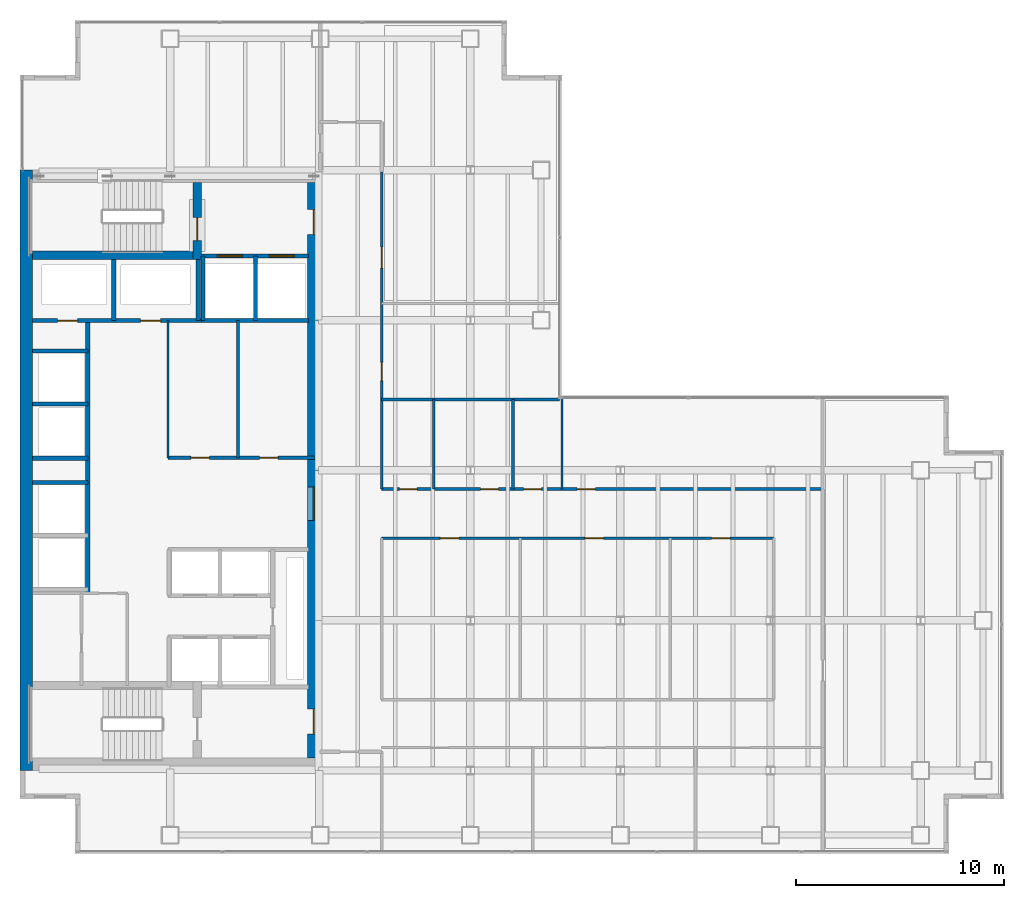
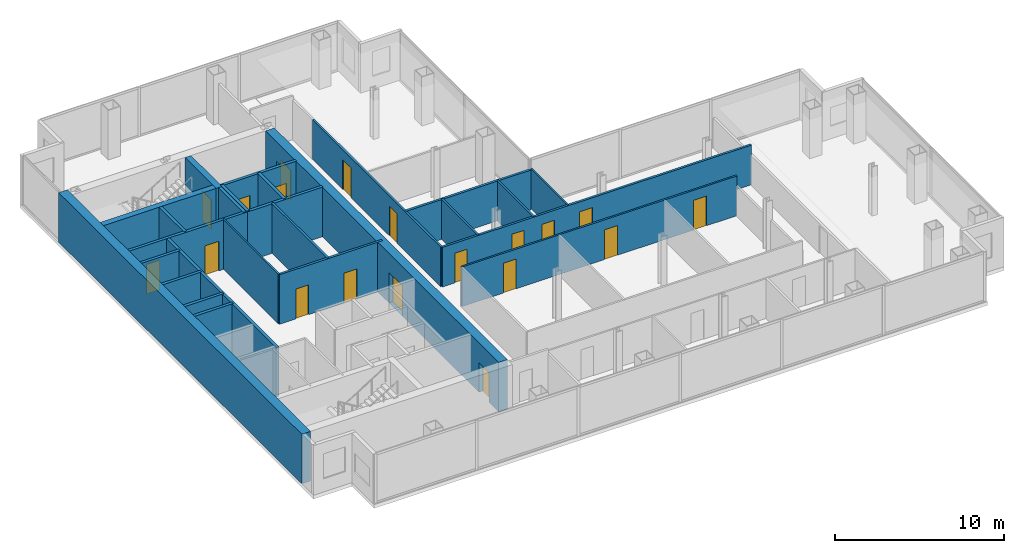
# One storey, part 21 of 24: 26 walls, 19 doors, 19 openings.
"""IFC4 building model written with IfcOpenShell, lengths in metres."""

from ifc_helpers import new_model, si_unit, direction, frame, frame_2d, origin, place, context, subcontext, project, spatial, rectangle, extrude, material, layer, layer_set, type_object, element, fill, save


model = new_model("IFC4")

# Units and contexts
model_context = context("Model", 3, precision=1e-05, world=origin(), true_north=direction((0.0, 1.0)))
body_context = subcontext(model_context, "Body", "Model", "MODEL_VIEW")
ifc_project = project(units=[si_unit("LENGTHUNIT", "METRE"), si_unit("AREAUNIT", "SQUARE_METRE"), si_unit("VOLUMEUNIT", "CUBIC_METRE"), si_unit("PLANEANGLEUNIT", "RADIAN"), si_unit("MASSUNIT", "GRAM", prefix="KILO")], contexts=[model_context])

# Site, building, storey
site_placement = place(None, origin())
site = spatial("IfcSite", under=ifc_project, at=site_placement, CompositionType="ELEMENT")
building_placement = place(site_placement, origin())
building = spatial("IfcBuilding", under=site, at=building_placement, Name="Cobrela Telecom Tower", CompositionType="ELEMENT")
storey_placement = place(building_placement, frame((0.0, 0.0, 152.25)))
storey = spatial("IfcBuildingStorey", under=building, at=storey_placement, Name="L38", CompositionType="ELEMENT", Elevation=152.25)

# Wall
ifc_material_1 = material(Name="Concrete C50/60", Category="concrete")
ifc_layer_1 = layer(ifc_material_1, 0.60009765625)
ifc_layer_set_1 = layer_set([ifc_layer_1], Name="Concrete C50/60")
wall_type_1 = type_object("IfcWallType", Name="WALL-CORE-C50-600", PredefinedType="SHEAR", material=ifc_layer_set_1)
wall_1_placement = place(storey_placement, frame((0.300048828125, 7.199951171875, 0.0), z_axis=(0.0, 0.0, 1.0), x_axis=(0.0, 1.0, 0.0)))
element("IfcWall", 1, at=wall_1_placement, inside=storey, type_object=wall_type_1, Name="L38 West Core Shear Wall", PredefinedType="SHEAR", context=body_context, shape_type="SweptSolid", body=[
    extrude(rectangle(XDim=28.800048828125, YDim=0.60009765625, at=frame_2d((14.39990234375, 0.0))), origin(), (0.0, 0.0, 1.0), 3.580078125),
])

# Wall, openings, doors
wall_2_placement = place(storey_placement, frame((14.10009765625, 35.39990234375, 0.0), z_axis=(0.0, 0.0, 1.0), x_axis=(0.0, -1.0, 0.0)))
wall_2 = element("IfcWall", 2, at=wall_2_placement, inside=storey, type_object=wall_type_1, Name="L38 East Core Shear Wall", PredefinedType="SHEAR", context=body_context, shape_type="SweptSolid", body=[
    extrude(rectangle(XDim=27.599853515625, YDim=0.60009765625, at=frame_2d((13.7998046875, 0.0))), origin(), (0.0, 0.0, 1.0), 3.580078125),
])
opening_1_placement = place(wall_2_placement, frame((1.300048828125, 0.0, 0.0)))
opening_1 = element("IfcOpeningElement", 3, at=opening_1_placement, cuts=wall_2, Name="Opening DR-19", PredefinedType="OPENING", context=body_context, shape_type="SweptSolid", body=[
    extrude(rectangle(XDim=1.199951171875, YDim=2.14990234375, at=frame_2d((0.60009765625, 1.074951171875))), frame((0.0, 0.31201171875, 0.0), z_axis=(0.0, -1.0, 0.0), x_axis=(1.0, 0.0, 0.0)), (0.0, 0.0, 1.0), 0.6240234375),
])
opening_2_placement = place(wall_2_placement, frame((25.25, 0.0, 0.0)))
opening_2 = element("IfcOpeningElement", 4, at=opening_2_placement, cuts=wall_2, Name="Opening DR-19", PredefinedType="OPENING", context=body_context, shape_type="SweptSolid", body=[
    extrude(rectangle(XDim=1.199951171875, YDim=2.14990234375, at=frame_2d((0.60009765625, 1.074951171875))), frame((0.0, 0.31201171875, 0.0), z_axis=(0.0, -1.0, 0.0), x_axis=(1.0, 0.0, 0.0)), (0.0, 0.0, 1.0), 0.6240234375),
])
opening_3_placement = place(wall_2_placement, frame((14.60009765625, 0.0, 0.0)))
opening_3 = element("IfcOpeningElement", 5, at=opening_3_placement, cuts=wall_2, Name="Opening DR-51", PredefinedType="OPENING", context=body_context, shape_type="SweptSolid", body=[
    extrude(rectangle(XDim=1.60009765625, YDim=2.199951171875, at=frame_2d((0.800048828125, 1.10009765625))), frame((0.0, 0.31201171875, 0.0), z_axis=(0.0, -1.0, 0.0), x_axis=(1.0, 0.0, 0.0)), (0.0, 0.0, 1.0), 0.6240234375),
])
ifc_material_2 = material(Name="Steel ASTM A36", Category="steel")
door_type_1 = type_object("IfcDoorType", Name="DOOR-FD60-1200", OperationType="SINGLE_SWING_LEFT", PredefinedType="DOOR", material=ifc_material_2)
door_1_placement = place(opening_1_placement, origin())
door_1 = element("IfcDoor", 6, at=door_1_placement, inside=storey, type_object=door_type_1, Name="L38 Door DR-19", OperationType="SINGLE_SWING_LEFT", OverallHeight=2.14990234375, OverallWidth=1.199951171875, PredefinedType="DOOR", context=body_context, shape_type="SweptSolid", body=[
    extrude(rectangle(XDim=1.199951171875, YDim=2.14990234375, at=frame_2d((0.60009765625, 1.074951171875))), frame((0.0, 0.02490234375, 0.0), z_axis=(0.0, -1.0, 0.0), x_axis=(1.0, 0.0, 0.0)), (0.0, 0.0, 1.0), 0.050048828125),
])
fill(opening_1, door_1)
door_2_placement = place(opening_2_placement, origin())
door_2 = element("IfcDoor", 7, at=door_2_placement, inside=storey, type_object=door_type_1, Name="L38 Door DR-19", OperationType="SINGLE_SWING_RIGHT", OverallHeight=2.14990234375, OverallWidth=1.199951171875, PredefinedType="DOOR", context=body_context, shape_type="SweptSolid", body=[
    extrude(rectangle(XDim=1.199951171875, YDim=2.14990234375, at=frame_2d((0.60009765625, 1.074951171875))), frame((0.0, 0.02490234375, 0.0), z_axis=(0.0, -1.0, 0.0), x_axis=(1.0, 0.0, 0.0)), (0.0, 0.0, 1.0), 0.050048828125),
])
fill(opening_2, door_2)
door_type_2 = type_object("IfcDoorType", Name="DOOR-FD60-1600", OperationType="SINGLE_SWING_LEFT", PredefinedType="DOOR", material=ifc_material_2)
door_3_placement = place(opening_3_placement, origin())
door_3 = element("IfcDoor", 8, at=door_3_placement, inside=storey, type_object=door_type_2, Name="L38 Door DR-51", OperationType="DOUBLE_DOOR_SINGLE_SWING", OverallHeight=2.199951171875, OverallWidth=1.60009765625, PredefinedType="DOOR", context=body_context, shape_type="SweptSolid", body=[
    extrude(rectangle(XDim=1.60009765625, YDim=2.199951171875, at=frame_2d((0.800048828125, 1.10009765625))), frame((0.0, 0.02490234375, 0.0), z_axis=(0.0, -1.0, 0.0), x_axis=(1.0, 0.0, 0.0)), (0.0, 0.0, 1.0), 0.050048828125),
])
fill(opening_3, door_3)

# Walls
ifc_material_3 = material(Name="Fire-Rated Gypsum Plasterboard")
ifc_layer_2 = layer(ifc_material_3, 0.110107421875)
ifc_layer_set_2 = layer_set([ifc_layer_2], Name="Fire-Rated Gypsum Plasterboard")
wall_type_2 = type_object("IfcWallType", Name="WALL-PART-110", PredefinedType="PARTITIONING", material=ifc_layer_set_2)
wall_3_placement = place(storey_placement, frame((7.10009765625, 22.199951171875, 0.0), z_axis=(0.0, 0.0, 1.0), x_axis=(0.0, 1.0, 0.0)))
element("IfcWall", 9, at=wall_3_placement, inside=storey, type_object=wall_type_2, Name="L38 Interior Partition CW-RECL-W", PredefinedType="PARTITIONING", context=body_context, shape_type="SweptSolid", body=[
    extrude(rectangle(XDim=6.580078125, YDim=0.110107421875, at=frame_2d((3.2900390625, 0.0))), origin(), (0.0, 0.0, 1.0), 3.580078125),
])
wall_4_placement = place(storey_placement, frame((26.0, 20.699951171875, 0.0), z_axis=(0.0, 0.0, 1.0), x_axis=(0.0, 1.0, 0.0)))
element("IfcWall", 10, at=wall_4_placement, inside=storey, type_object=wall_type_2, Name="L38 Interior Partition W-UEN-W", PredefinedType="PARTITIONING", context=body_context, shape_type="SweptSolid", body=[
    extrude(rectangle(XDim=4.380126953125, YDim=0.110107421875, at=frame_2d((2.18994140625, 0.0))), origin(), (0.0, 0.0, 1.0), 2.868896484375),
])

# Wall, openings, doors
ifc_layer_3 = layer(ifc_material_3, 0.125)
ifc_layer_set_3 = layer_set([ifc_layer_3], Name="Fire-Rated Gypsum Plasterboard")
wall_type_3 = type_object("IfcWallType", Name="WALL-PART-125", PredefinedType="PARTITIONING", material=ifc_layer_set_3)
wall_5_placement = place(storey_placement, frame((17.35009765625, 18.35009765625, 0.0), z_axis=(0.0, 0.0, 1.0), x_axis=(1.0, 0.0, 0.0)))
wall_5 = element("IfcWall", 11, at=wall_5_placement, inside=storey, type_object=wall_type_3, Name="L38 Interior Partition W-ISL-N", PredefinedType="PARTITIONING", context=body_context, shape_type="SweptSolid", body=[
    extrude(rectangle(XDim=18.7998046875, YDim=0.125, at=frame_2d((9.39990234375, 0.0))), origin(), (0.0, 0.0, 1.0), 2.868896484375),
])
opening_4_placement = place(wall_5_placement, frame((2.820068359375, 0.0, 0.0)))
opening_4 = element("IfcOpeningElement", 12, at=opening_4_placement, cuts=wall_5, Name="Opening DR-39", PredefinedType="OPENING", context=body_context, shape_type="SweptSolid", body=[
    extrude(rectangle(XDim=0.8798828125, YDim=2.14990234375, at=frame_2d((0.43994140625, 1.074951171875))), frame((0.0, 0.074462890625, 0.0), z_axis=(0.0, -1.0, 0.0), x_axis=(1.0, 0.0, 0.0)), (0.0, 0.0, 1.0), 0.14892578125),
])
opening_5_placement = place(wall_5_placement, frame((9.75, 0.0, 0.0)))
opening_5 = element("IfcOpeningElement", 13, at=opening_5_placement, cuts=wall_5, Name="Opening DR-39", PredefinedType="OPENING", context=body_context, shape_type="SweptSolid", body=[
    extrude(rectangle(XDim=0.8798828125, YDim=2.14990234375, at=frame_2d((0.43994140625, 1.074951171875))), frame((0.0, 0.074462890625, 0.0), z_axis=(0.0, -1.0, 0.0), x_axis=(1.0, 0.0, 0.0)), (0.0, 0.0, 1.0), 0.14892578125),
])
opening_6_placement = place(wall_5_placement, frame((15.820068359375, 0.0, 0.0)))
opening_6 = element("IfcOpeningElement", 14, at=opening_6_placement, cuts=wall_5, Name="Opening DR-39", PredefinedType="OPENING", context=body_context, shape_type="SweptSolid", body=[
    extrude(rectangle(XDim=0.8798828125, YDim=2.14990234375, at=frame_2d((0.43994140625, 1.074951171875))), frame((0.0, 0.074462890625, 0.0), z_axis=(0.0, -1.0, 0.0), x_axis=(1.0, 0.0, 0.0)), (0.0, 0.0, 1.0), 0.14892578125),
])
ifc_material_4 = material(Name="Solid Engineered Oak Timber", Category="wood")
door_type_3 = type_object("IfcDoorType", Name="DOOR-INT-880", OperationType="SINGLE_SWING_LEFT", PredefinedType="DOOR", material=ifc_material_4)
door_4_placement = place(opening_4_placement, origin())
door_4 = element("IfcDoor", 15, at=door_4_placement, inside=storey, type_object=door_type_3, Name="L38 Door DR-39", OperationType="SINGLE_SWING_LEFT", OverallHeight=2.14990234375, OverallWidth=0.8798828125, PredefinedType="DOOR", context=body_context, shape_type="SweptSolid", body=[
    extrude(rectangle(XDim=0.8798828125, YDim=2.14990234375, at=frame_2d((0.43994140625, 1.074951171875))), frame((0.0, 0.02490234375, 0.0), z_axis=(0.0, -1.0, 0.0), x_axis=(1.0, 0.0, 0.0)), (0.0, 0.0, 1.0), 0.050048828125),
])
fill(opening_4, door_4)
door_5_placement = place(opening_5_placement, origin())
door_5 = element("IfcDoor", 16, at=door_5_placement, inside=storey, type_object=door_type_3, Name="L38 Door DR-39", OperationType="SINGLE_SWING_RIGHT", OverallHeight=2.14990234375, OverallWidth=0.8798828125, PredefinedType="DOOR", context=body_context, shape_type="SweptSolid", body=[
    extrude(rectangle(XDim=0.8798828125, YDim=2.14990234375, at=frame_2d((0.43994140625, 1.074951171875))), frame((0.0, 0.02490234375, 0.0), z_axis=(0.0, -1.0, 0.0), x_axis=(1.0, 0.0, 0.0)), (0.0, 0.0, 1.0), 0.050048828125),
])
fill(opening_5, door_5)
door_6_placement = place(opening_6_placement, origin())
door_6 = element("IfcDoor", 17, at=door_6_placement, inside=storey, type_object=door_type_3, Name="L38 Door DR-39", OperationType="SINGLE_SWING_LEFT", OverallHeight=2.14990234375, OverallWidth=0.8798828125, PredefinedType="DOOR", context=body_context, shape_type="SweptSolid", body=[
    extrude(rectangle(XDim=0.8798828125, YDim=2.14990234375, at=frame_2d((0.43994140625, 1.074951171875))), frame((0.0, 0.02490234375, 0.0), z_axis=(0.0, -1.0, 0.0), x_axis=(1.0, 0.0, 0.0)), (0.0, 0.0, 1.0), 0.050048828125),
])
fill(opening_6, door_6)

# Walls
for number, where, z_axis, x_axis, name in (
    (18, (19.85009765625, 20.699951171875, 0.0), (0.0, 0.0, 1.0), (0.0, 1.0, 0.0), "L38 Interior Partition W-WC-V1"),
    (19, (23.64990234375, 20.699951171875, 0.0), (0.0, 0.0, 1.0), (0.0, 1.0, 0.0), "L38 Interior Partition W-WC-V2"),
):
    element("IfcWall", number, at=place(storey_placement, frame(where, z_axis=z_axis, x_axis=x_axis)), inside=storey, type_object=wall_type_3, Name=name, PredefinedType="PARTITIONING", context=body_context, shape_type="SweptSolid", body=[
        extrude(rectangle(XDim=4.300048828125, YDim=0.125, at=frame_2d((2.14990234375, 0.0))), origin(), (0.0, 0.0, 1.0), 2.868896484375),
    ])

# Wall, openings, doors
ifc_layer_4 = layer(ifc_material_3, 0.135009765625)
ifc_layer_set_4 = layer_set([ifc_layer_4], Name="Fire-Rated Gypsum Plasterboard")
wall_type_4 = type_object("IfcWallType", Name="WALL-PART-135", PredefinedType="PARTITIONING", material=ifc_layer_set_4)
wall_6_placement = place(storey_placement, frame((17.35009765625, 20.699951171875, 0.0), z_axis=(0.0, 0.0, 1.0), x_axis=(0.0, 1.0, 0.0)))
wall_6 = element("IfcWall", 20, at=wall_6_placement, inside=storey, type_object=wall_type_4, Name="L38 Interior Partition W-UW-E2", PredefinedType="PARTITIONING", context=body_context, shape_type="SweptSolid", body=[
    extrude(rectangle(XDim=15.199951171875, YDim=0.135009765625, at=frame_2d((7.60009765625, 0.0))), origin(), (0.0, 0.0, 1.0), 2.868896484375),
])
opening_7_placement = place(wall_6_placement, frame((5.199951171875, 0.0, 0.0)))
opening_7 = element("IfcOpeningElement", 21, at=opening_7_placement, cuts=wall_6, Name="Opening DR-39", PredefinedType="OPENING", context=body_context, shape_type="SweptSolid", body=[
    extrude(rectangle(XDim=0.8798828125, YDim=2.14990234375, at=frame_2d((0.43994140625, 1.074951171875))), frame((0.0, 0.07958984375, 0.0), z_axis=(0.0, -1.0, 0.0), x_axis=(1.0, 0.0, 0.0)), (0.0, 0.0, 1.0), 0.158935546875),
])
opening_8_placement = place(wall_6_placement, frame((10.60009765625, 0.0, 0.0)))
opening_8 = element("IfcOpeningElement", 22, at=opening_8_placement, cuts=wall_6, Name="Opening DR-31", PredefinedType="OPENING", context=body_context, shape_type="SweptSolid", body=[
    extrude(rectangle(XDim=1.0, YDim=2.14990234375, at=frame_2d((0.5, 1.074951171875))), frame((0.0, 0.07958984375, 0.0), z_axis=(0.0, -1.0, 0.0), x_axis=(1.0, 0.0, 0.0)), (0.0, 0.0, 1.0), 0.158935546875),
])
door_type_4 = type_object("IfcDoorType", Name="DOOR-INT-1000", OperationType="SINGLE_SWING_LEFT", PredefinedType="DOOR", material=ifc_material_4)
door_7_placement = place(opening_8_placement, origin())
door_7 = element("IfcDoor", 23, at=door_7_placement, inside=storey, type_object=door_type_4, Name="L38 Door DR-31", OperationType="SINGLE_SWING_LEFT", OverallHeight=2.14990234375, OverallWidth=1.0, PredefinedType="DOOR", context=body_context, shape_type="SweptSolid", body=[
    extrude(rectangle(XDim=1.0, YDim=2.14990234375, at=frame_2d((0.5, 1.074951171875))), frame((0.0, 0.02490234375, 0.0), z_axis=(0.0, -1.0, 0.0), x_axis=(1.0, 0.0, 0.0)), (0.0, 0.0, 1.0), 0.050048828125),
])
fill(opening_8, door_7)
door_8_placement = place(opening_7_placement, origin())
door_8 = element("IfcDoor", 24, at=door_8_placement, inside=storey, type_object=door_type_3, Name="L38 Door DR-39", OperationType="SINGLE_SWING_RIGHT", OverallHeight=2.14990234375, OverallWidth=0.8798828125, PredefinedType="DOOR", context=body_context, shape_type="SweptSolid", body=[
    extrude(rectangle(XDim=0.8798828125, YDim=2.14990234375, at=frame_2d((0.43994140625, 1.074951171875))), frame((0.0, 0.02490234375, 0.0), z_axis=(0.0, -1.0, 0.0), x_axis=(1.0, 0.0, 0.0)), (0.0, 0.0, 1.0), 0.050048828125),
])
fill(opening_7, door_8)

# Wall
ifc_layer_5 = layer(ifc_material_3, 0.14990234375)
ifc_layer_set_5 = layer_set([ifc_layer_5], Name="Fire-Rated Gypsum Plasterboard")
wall_type_5 = type_object("IfcWallType", Name="WALL-PART-150", PredefinedType="PARTITIONING", material=ifc_layer_set_5)
wall_7_placement = place(storey_placement, frame((10.449951171875, 22.199951171875, 0.0), z_axis=(0.0, 0.0, 1.0), x_axis=(0.0, 1.0, 0.0)))
element("IfcWall", 25, at=wall_7_placement, inside=storey, type_object=wall_type_5, Name="L38 Interior Partition CW-RECL-V", PredefinedType="PARTITIONING", context=body_context, shape_type="SweptSolid", body=[
    extrude(rectangle(XDim=6.580078125, YDim=0.14990234375, at=frame_2d((3.2900390625, 0.0))), origin(), (0.0, 0.0, 1.0), 3.580078125),
])

# Wall, openings, doors
wall_8_placement = place(storey_placement, frame((17.35009765625, 20.699951171875, 0.0), z_axis=(0.0, 0.0, 1.0), x_axis=(1.0, 0.0, 0.0)))
wall_8 = element("IfcWall", 26, at=wall_8_placement, inside=storey, type_object=wall_type_5, Name="L38 Interior Partition W-UN-N", PredefinedType="PARTITIONING", context=body_context, shape_type="SweptSolid", body=[
    extrude(rectangle(XDim=21.14990234375, YDim=0.14990234375, at=frame_2d((10.574951171875, 0.0))), origin(), (0.0, 0.0, 1.0), 2.868896484375),
])
opening_9_placement = place(wall_8_placement, frame((0.85009765625, 0.0, 0.0)))
opening_9 = element("IfcOpeningElement", 27, at=opening_9_placement, cuts=wall_8, Name="Opening DR-11", PredefinedType="OPENING", context=body_context, shape_type="SweptSolid", body=[
    extrude(rectangle(XDim=0.85009765625, YDim=2.14990234375, at=frame_2d((0.425048828125, 1.074951171875))), frame((0.0, 0.0869140625, 0.0), z_axis=(0.0, -1.0, 0.0), x_axis=(1.0, 0.0, 0.0)), (0.0, 0.0, 1.0), 0.173828125),
])
opening_10_placement = place(wall_8_placement, frame((4.75, 0.0, 0.0)))
opening_10 = element("IfcOpeningElement", 28, at=opening_10_placement, cuts=wall_8, Name="Opening DR-11", PredefinedType="OPENING", context=body_context, shape_type="SweptSolid", body=[
    extrude(rectangle(XDim=0.85009765625, YDim=2.14990234375, at=frame_2d((0.425048828125, 1.074951171875))), frame((0.0, 0.0869140625, 0.0), z_axis=(0.0, -1.0, 0.0), x_axis=(1.0, 0.0, 0.0)), (0.0, 0.0, 1.0), 0.173828125),
])
opening_11_placement = place(wall_8_placement, frame((6.81005859375, 0.0, 0.0)))
opening_11 = element("IfcOpeningElement", 29, at=opening_11_placement, cuts=wall_8, Name="Opening DR-11", PredefinedType="OPENING", context=body_context, shape_type="SweptSolid", body=[
    extrude(rectangle(XDim=0.85009765625, YDim=2.14990234375, at=frame_2d((0.425048828125, 1.074951171875))), frame((0.0, 0.0869140625, 0.0), z_axis=(0.0, -1.0, 0.0), x_axis=(1.0, 0.0, 0.0)), (0.0, 0.0, 1.0), 0.173828125),
])
opening_12_placement = place(wall_8_placement, frame((9.3701171875, 0.0, 0.0)))
opening_12 = element("IfcOpeningElement", 30, at=opening_12_placement, cuts=wall_8, Name="Opening DR-39", PredefinedType="OPENING", context=body_context, shape_type="SweptSolid", body=[
    extrude(rectangle(XDim=0.8798828125, YDim=2.14990234375, at=frame_2d((0.43994140625, 1.074951171875))), frame((0.0, 0.0869140625, 0.0), z_axis=(0.0, -1.0, 0.0), x_axis=(1.0, 0.0, 0.0)), (0.0, 0.0, 1.0), 0.173828125),
])
door_type_5 = type_object("IfcDoorType", Name="DOOR-INT-850", OperationType="SINGLE_SWING_LEFT", PredefinedType="DOOR", material=ifc_material_4)
door_9_placement = place(opening_9_placement, origin())
door_9 = element("IfcDoor", 31, at=door_9_placement, inside=storey, type_object=door_type_5, Name="L38 Door DR-11", OperationType="SINGLE_SWING_LEFT", OverallHeight=2.14990234375, OverallWidth=0.85009765625, PredefinedType="DOOR", context=body_context, shape_type="SweptSolid", body=[
    extrude(rectangle(XDim=0.85009765625, YDim=2.14990234375, at=frame_2d((0.425048828125, 1.074951171875))), frame((0.0, 0.02490234375, 0.0), z_axis=(0.0, -1.0, 0.0), x_axis=(1.0, 0.0, 0.0)), (0.0, 0.0, 1.0), 0.050048828125),
])
fill(opening_9, door_9)
door_10_placement = place(opening_10_placement, origin())
door_10 = element("IfcDoor", 32, at=door_10_placement, inside=storey, type_object=door_type_5, Name="L38 Door DR-11", OperationType="SINGLE_SWING_RIGHT", OverallHeight=2.14990234375, OverallWidth=0.85009765625, PredefinedType="DOOR", context=body_context, shape_type="SweptSolid", body=[
    extrude(rectangle(XDim=0.85009765625, YDim=2.14990234375, at=frame_2d((0.425048828125, 1.074951171875))), frame((0.0, 0.02490234375, 0.0), z_axis=(0.0, -1.0, 0.0), x_axis=(1.0, 0.0, 0.0)), (0.0, 0.0, 1.0), 0.050048828125),
])
fill(opening_10, door_10)
door_11_placement = place(opening_11_placement, origin())
door_11 = element("IfcDoor", 33, at=door_11_placement, inside=storey, type_object=door_type_5, Name="L38 Door DR-11", OperationType="SINGLE_SWING_LEFT", OverallHeight=2.14990234375, OverallWidth=0.85009765625, PredefinedType="DOOR", context=body_context, shape_type="SweptSolid", body=[
    extrude(rectangle(XDim=0.85009765625, YDim=2.14990234375, at=frame_2d((0.425048828125, 1.074951171875))), frame((0.0, 0.02490234375, 0.0), z_axis=(0.0, -1.0, 0.0), x_axis=(1.0, 0.0, 0.0)), (0.0, 0.0, 1.0), 0.050048828125),
])
fill(opening_11, door_11)
door_12_placement = place(opening_12_placement, origin())
door_12 = element("IfcDoor", 34, at=door_12_placement, inside=storey, type_object=door_type_3, Name="L38 Door DR-39", OperationType="SINGLE_SWING_RIGHT", OverallHeight=2.14990234375, OverallWidth=0.8798828125, PredefinedType="DOOR", context=body_context, shape_type="SweptSolid", body=[
    extrude(rectangle(XDim=0.8798828125, YDim=2.14990234375, at=frame_2d((0.43994140625, 1.074951171875))), frame((0.0, 0.02490234375, 0.0), z_axis=(0.0, -1.0, 0.0), x_axis=(1.0, 0.0, 0.0)), (0.0, 0.0, 1.0), 0.050048828125),
])
fill(opening_12, door_12)

ifc_layer_6 = layer(ifc_material_3, 0.159912109375)
ifc_layer_set_6 = layer_set([ifc_layer_6], Name="Fire-Rated Gypsum Plasterboard")
wall_type_6 = type_object("IfcWallType", Name="WALL-PART-160", PredefinedType="PARTITIONING", material=ifc_layer_set_6)
wall_9_placement = place(storey_placement, frame((7.10009765625, 22.199951171875, 0.0), z_axis=(0.0, 0.0, 1.0), x_axis=(1.0, 0.0, 0.0)))
wall_9 = element("IfcWall", 35, at=wall_9_placement, inside=storey, type_object=wall_type_6, Name="L38 Interior Partition CW-RECL-S", PredefinedType="PARTITIONING", context=body_context, shape_type="SweptSolid", body=[
    extrude(rectangle(XDim=7.0498046875, YDim=0.159912109375, at=frame_2d((3.52490234375, 0.0))), origin(), (0.0, 0.0, 1.0), 3.580078125),
])
opening_13_placement = place(wall_9_placement, frame((1.10009765625, 0.0, 0.0)))
opening_13 = element("IfcOpeningElement", 36, at=opening_13_placement, cuts=wall_9, Name="Opening DR-39", PredefinedType="OPENING", context=body_context, shape_type="SweptSolid", body=[
    extrude(rectangle(XDim=0.8798828125, YDim=2.14990234375, at=frame_2d((0.43994140625, 1.074951171875))), frame((0.0, 0.091796875, 0.0), z_axis=(0.0, -1.0, 0.0), x_axis=(1.0, 0.0, 0.0)), (0.0, 0.0, 1.0), 0.183837890625),
])
opening_14_placement = place(wall_9_placement, frame((4.39990234375, 0.0, 0.0)))
opening_14 = element("IfcOpeningElement", 37, at=opening_14_placement, cuts=wall_9, Name="Opening DR-39", PredefinedType="OPENING", context=body_context, shape_type="SweptSolid", body=[
    extrude(rectangle(XDim=0.8798828125, YDim=2.14990234375, at=frame_2d((0.43994140625, 1.074951171875))), frame((0.0, 0.091796875, 0.0), z_axis=(0.0, -1.0, 0.0), x_axis=(1.0, 0.0, 0.0)), (0.0, 0.0, 1.0), 0.183837890625),
])
door_13_placement = place(opening_13_placement, origin())
door_13 = element("IfcDoor", 38, at=door_13_placement, inside=storey, type_object=door_type_3, Name="L38 Door DR-39", OperationType="SINGLE_SWING_LEFT", OverallHeight=2.14990234375, OverallWidth=0.8798828125, PredefinedType="DOOR", context=body_context, shape_type="SweptSolid", body=[
    extrude(rectangle(XDim=0.8798828125, YDim=2.14990234375, at=frame_2d((0.43994140625, 1.074951171875))), frame((0.0, 0.02490234375, 0.0), z_axis=(0.0, -1.0, 0.0), x_axis=(1.0, 0.0, 0.0)), (0.0, 0.0, 1.0), 0.050048828125),
])
fill(opening_13, door_13)
door_14_placement = place(opening_14_placement, origin())
door_14 = element("IfcDoor", 39, at=door_14_placement, inside=storey, type_object=door_type_3, Name="L38 Door DR-39", OperationType="SINGLE_SWING_RIGHT", OverallHeight=2.14990234375, OverallWidth=0.8798828125, PredefinedType="DOOR", context=body_context, shape_type="SweptSolid", body=[
    extrude(rectangle(XDim=0.8798828125, YDim=2.14990234375, at=frame_2d((0.43994140625, 1.074951171875))), frame((0.0, 0.02490234375, 0.0), z_axis=(0.0, -1.0, 0.0), x_axis=(1.0, 0.0, 0.0)), (0.0, 0.0, 1.0), 0.050048828125),
])
fill(opening_14, door_14)

# Wall
wall_10_placement = place(storey_placement, frame((17.35009765625, 25.0, 0.0), z_axis=(0.0, 0.0, 1.0), x_axis=(1.0, 0.0, 0.0)))
element("IfcWall", 40, at=wall_10_placement, inside=storey, type_object=wall_type_6, Name="L38 Interior Partition W-WC-N", PredefinedType="PARTITIONING", context=body_context, shape_type="SweptSolid", body=[
    extrude(rectangle(XDim=8.52978515625, YDim=0.159912109375, at=frame_2d((4.264892578125, 0.0))), origin(), (0.0, 0.0, 1.0), 2.868896484375),
])

# Wall, openings, doors
ifc_layer_7 = layer(ifc_material_3, 0.199951171875)
ifc_layer_set_7 = layer_set([ifc_layer_7], Name="Fire-Rated Gypsum Plasterboard")
wall_type_7 = type_object("IfcWallType", Name="WALL-SHAFT-200", PredefinedType="PARTITIONING", material=ifc_layer_set_7)
wall_11_placement = place(storey_placement, frame((8.699951171875, 31.8798828125, 0.0), z_axis=(0.0, 0.0, 1.0), x_axis=(1.0, 0.0, 0.0)))
wall_11 = element("IfcWall", 41, at=wall_11_placement, inside=storey, type_object=wall_type_7, Name="L38 Shaft Enclosure CW-FFL-S", PredefinedType="PARTITIONING", context=body_context, shape_type="SweptSolid", body=[
    extrude(rectangle(XDim=5.150146484375, YDim=0.199951171875, at=frame_2d((2.5751953125, 0.0))), origin(), (0.0, 0.0, 1.0), 3.580078125),
])
opening_15_placement = place(wall_11_placement, frame((0.75, 0.0, 0.0)))
opening_15 = element("IfcOpeningElement", 42, at=opening_15_placement, cuts=wall_11, Name="Opening LD-2", PredefinedType="OPENING", context=body_context, shape_type="SweptSolid", body=[
    extrude(rectangle(XDim=1.199951171875, YDim=2.199951171875, at=frame_2d((0.60009765625, 1.10009765625))), frame((0.0, 0.11181640625, 0.0), z_axis=(0.0, -1.0, 0.0), x_axis=(1.0, 0.0, 0.0)), (0.0, 0.0, 1.0), 0.223876953125),
])
opening_16_placement = place(wall_11_placement, frame((3.25, 0.0, 0.0)))
opening_16 = element("IfcOpeningElement", 43, at=opening_16_placement, cuts=wall_11, Name="Opening LD-2", PredefinedType="OPENING", context=body_context, shape_type="SweptSolid", body=[
    extrude(rectangle(XDim=1.199951171875, YDim=2.199951171875, at=frame_2d((0.60009765625, 1.10009765625))), frame((0.0, 0.11181640625, 0.0), z_axis=(0.0, -1.0, 0.0), x_axis=(1.0, 0.0, 0.0)), (0.0, 0.0, 1.0), 0.223876953125),
])
door_type_6 = type_object("IfcDoorType", Name="DOOR-LD-FFL", OperationType="SINGLE_SWING_LEFT", PredefinedType="DOOR", material=ifc_material_2)
door_15_placement = place(opening_15_placement, origin())
door_15 = element("IfcDoor", 44, at=door_15_placement, inside=storey, type_object=door_type_6, Name="L38 Lift Landing Door LD-2", OperationType="DOUBLE_DOOR_SLIDING", OverallHeight=2.199951171875, OverallWidth=1.199951171875, PredefinedType="DOOR", context=body_context, shape_type="SweptSolid", body=[
    extrude(rectangle(XDim=1.199951171875, YDim=2.199951171875, at=frame_2d((0.60009765625, 1.10009765625))), frame((0.0, 0.02490234375, 0.0), z_axis=(0.0, -1.0, 0.0), x_axis=(1.0, 0.0, 0.0)), (0.0, 0.0, 1.0), 0.050048828125),
])
fill(opening_15, door_15)
door_16_placement = place(opening_16_placement, origin())
door_16 = element("IfcDoor", 45, at=door_16_placement, inside=storey, type_object=door_type_6, Name="L38 Lift Landing Door LD-2", OperationType="DOUBLE_DOOR_SLIDING", OverallHeight=2.199951171875, OverallWidth=1.199951171875, PredefinedType="DOOR", context=body_context, shape_type="SweptSolid", body=[
    extrude(rectangle(XDim=1.199951171875, YDim=2.199951171875, at=frame_2d((0.60009765625, 1.10009765625))), frame((0.0, 0.02490234375, 0.0), z_axis=(0.0, -1.0, 0.0), x_axis=(1.0, 0.0, 0.0)), (0.0, 0.0, 1.0), 0.050048828125),
])
fill(opening_16, door_16)

# Walls
wall_12_placement = place(storey_placement, frame((8.699951171875, 28.780029296875, 0.0), z_axis=(0.0, 0.0, 1.0), x_axis=(1.0, 0.0, 0.0)))
element("IfcWall", 46, at=wall_12_placement, inside=storey, type_object=wall_type_7, Name="L38 Shaft Enclosure CW-FFL-S2", PredefinedType="PARTITIONING", context=body_context, shape_type="SweptSolid", body=[
    extrude(rectangle(XDim=5.150146484375, YDim=0.199951171875, at=frame_2d((2.5751953125, 0.0))), origin(), (0.0, 0.0, 1.0), 3.580078125),
])
for number, where, z_axis, x_axis, name in (
    (47, (8.780029296875, 28.780029296875, 0.0), (0.0, 0.0, 1.0), (0.0, 1.0, 0.0), "L38 Shaft Enclosure CW-FFL-W"),
    (48, (11.300048828125, 28.780029296875, 0.0), (0.0, 0.0, 1.0), (0.0, 1.0, 0.0), "L38 Shaft Enclosure CW-FFL-M"),
):
    element("IfcWall", number, at=place(storey_placement, frame(where, z_axis=z_axis, x_axis=x_axis)), inside=storey, type_object=wall_type_7, Name=name, PredefinedType="PARTITIONING", context=body_context, shape_type="SweptSolid", body=[
        extrude(rectangle(XDim=3.099853515625, YDim=0.199951171875, at=frame_2d((1.5498046875, 0.0))), origin(), (0.0, 0.0, 1.0), 3.580078125),
    ])

# Wall, openings, doors
wall_13_placement = place(storey_placement, frame((0.60009765625, 28.780029296875, 0.0), z_axis=(0.0, 0.0, 1.0), x_axis=(1.0, 0.0, 0.0)))
wall_13 = element("IfcWall", 49, at=wall_13_placement, inside=storey, type_object=wall_type_7, Name="L38 Shaft Enclosure CW-RIS-S", PredefinedType="PARTITIONING", context=body_context, shape_type="SweptSolid", body=[
    extrude(rectangle(XDim=8.179931640625, YDim=0.199951171875, at=frame_2d((4.08984375, 0.0))), origin(), (0.0, 0.0, 1.0), 3.580078125),
])
opening_17_placement = place(wall_13_placement, frame((1.2099609375, 0.0, 0.0)))
opening_17 = element("IfcOpeningElement", 50, at=opening_17_placement, cuts=wall_13, Name="Opening DR-65", PredefinedType="OPENING", context=body_context, shape_type="SweptSolid", body=[
    extrude(rectangle(XDim=0.949951171875, YDim=2.14990234375, at=frame_2d((0.47509765625, 1.074951171875))), frame((0.0, 0.11181640625, 0.0), z_axis=(0.0, -1.0, 0.0), x_axis=(1.0, 0.0, 0.0)), (0.0, 0.0, 1.0), 0.223876953125),
])
opening_18_placement = place(wall_13_placement, frame((5.18994140625, 0.0, 0.0)))
opening_18 = element("IfcOpeningElement", 51, at=opening_18_placement, cuts=wall_13, Name="Opening DR-65", PredefinedType="OPENING", context=body_context, shape_type="SweptSolid", body=[
    extrude(rectangle(XDim=0.949951171875, YDim=2.14990234375, at=frame_2d((0.47509765625, 1.074951171875))), frame((0.0, 0.11181640625, 0.0), z_axis=(0.0, -1.0, 0.0), x_axis=(1.0, 0.0, 0.0)), (0.0, 0.0, 1.0), 0.223876953125),
])
door_type_7 = type_object("IfcDoorType", Name="DOOR-FD60-950", OperationType="SINGLE_SWING_LEFT", PredefinedType="DOOR", material=ifc_material_2)
door_17_placement = place(opening_17_placement, origin())
door_17 = element("IfcDoor", 52, at=door_17_placement, inside=storey, type_object=door_type_7, Name="L38 Door DR-65", OperationType="SINGLE_SWING_LEFT", OverallHeight=2.14990234375, OverallWidth=0.949951171875, PredefinedType="DOOR", context=body_context, shape_type="SweptSolid", body=[
    extrude(rectangle(XDim=0.949951171875, YDim=2.14990234375, at=frame_2d((0.47509765625, 1.074951171875))), frame((0.0, 0.02490234375, 0.0), z_axis=(0.0, -1.0, 0.0), x_axis=(1.0, 0.0, 0.0)), (0.0, 0.0, 1.0), 0.050048828125),
])
fill(opening_17, door_17)
door_18_placement = place(opening_18_placement, origin())
door_18 = element("IfcDoor", 53, at=door_18_placement, inside=storey, type_object=door_type_7, Name="L38 Door DR-65", OperationType="SINGLE_SWING_RIGHT", OverallHeight=2.14990234375, OverallWidth=0.949951171875, PredefinedType="DOOR", context=body_context, shape_type="SweptSolid", body=[
    extrude(rectangle(XDim=0.949951171875, YDim=2.14990234375, at=frame_2d((0.47509765625, 1.074951171875))), frame((0.0, 0.02490234375, 0.0), z_axis=(0.0, -1.0, 0.0), x_axis=(1.0, 0.0, 0.0)), (0.0, 0.0, 1.0), 0.050048828125),
])
fill(opening_18, door_18)

# Walls
for number, where, z_axis, x_axis, name in (
    (54, (4.5, 28.780029296875, 0.0), (0.0, 0.0, 1.0), (0.0, 1.0, 0.0), "L38 Shaft Enclosure CW-RIS-M"),
    (55, (8.550048828125, 28.780029296875, 0.0), (0.0, 0.0, 1.0), (0.0, 1.0, 0.0), "L38 Shaft Enclosure CW-RIS-E"),
):
    element("IfcWall", number, at=place(storey_placement, frame(where, z_axis=z_axis, x_axis=x_axis)), inside=storey, type_object=wall_type_7, Name=name, PredefinedType="PARTITIONING", context=body_context, shape_type="SweptSolid", body=[
        extrude(rectangle(XDim=2.93994140625, YDim=0.199951171875, at=frame_2d((1.469970703125, 0.0))), origin(), (0.0, 0.0, 1.0), 3.580078125),
    ])
wall_14_placement = place(storey_placement, frame((3.25, 15.699951171875, 0.0), z_axis=(0.0, 0.0, 1.0), x_axis=(0.0, 1.0, 0.0)))
element("IfcWall", 56, at=wall_14_placement, inside=storey, type_object=wall_type_7, Name="L38 Shaft Enclosure CW-PLH-E", PredefinedType="PARTITIONING", context=body_context, shape_type="SweptSolid", body=[
    extrude(rectangle(XDim=13.080078125, YDim=0.199951171875, at=frame_2d((6.5400390625, 0.0))), origin(), (0.0, 0.0, 1.0), 3.580078125),
])
for number, where, z_axis, x_axis, name in (
    (57, (0.60009765625, 22.179931640625, 0.0), (0.0, 0.0, 1.0), (1.0, 0.0, 0.0), "L38 Shaft Enclosure CW-PLH-D11"),
    (58, (0.60009765625, 24.780029296875, 0.0), (0.0, 0.0, 1.0), (1.0, 0.0, 0.0), "L38 Shaft Enclosure CW-PLH-D12"),
    (59, (0.60009765625, 21.02001953125, 0.0), (0.0, 0.0, 1.0), (1.0, 0.0, 0.0), "L38 Shaft Enclosure CW-PLH-MID"),
    (60, (0.60009765625, 27.320068359375, 0.0), (0.0, 0.0, 1.0), (1.0, 0.0, 0.0), "L38 Shaft Enclosure CW-PLH-TOP"),
):
    element("IfcWall", number, at=place(storey_placement, frame(where, z_axis=z_axis, x_axis=x_axis)), inside=storey, type_object=wall_type_7, Name=name, PredefinedType="PARTITIONING", context=body_context, shape_type="SweptSolid", body=[
        extrude(rectangle(XDim=2.64990234375, YDim=0.199951171875, at=frame_2d((1.324951171875, 0.0))), origin(), (0.0, 0.0, 1.0), 3.580078125),
    ])
ifc_material_5 = material(Name="Concrete C40/50", Category="concrete")
ifc_layer_8 = layer(ifc_material_5, 0.39990234375)
ifc_layer_set_8 = layer_set([ifc_layer_8], Name="Concrete C40/50")
wall_type_8 = type_object("IfcWallType", Name="WALL-SHAFT-C40-400", PredefinedType="SHEAR", material=ifc_layer_set_8)
wall_15_placement = place(storey_placement, frame((0.60009765625, 31.919921875, 0.0), z_axis=(0.0, 0.0, 1.0), x_axis=(1.0, 0.0, 0.0)))
element("IfcWall", 61, at=wall_15_placement, inside=storey, type_object=wall_type_8, Name="L38 North Stair Shear Wall", PredefinedType="SHEAR", context=body_context, shape_type="SweptSolid", body=[
    extrude(rectangle(XDim=7.699951171875, YDim=0.39990234375, at=frame_2d((3.85009765625, 0.0))), origin(), (0.0, 0.0, 1.0), 3.580078125),
])

# Wall, opening, door
wall_16_placement = place(storey_placement, frame((8.5, 31.719970703125, 0.0), z_axis=(0.0, 0.0, 1.0), x_axis=(0.0, 1.0, 0.0)))
wall_16 = element("IfcWall", 62, at=wall_16_placement, inside=storey, type_object=wall_type_8, Name="L38 North Stair Lobby Shear Wall", PredefinedType="SHEAR", context=body_context, shape_type="SweptSolid", body=[
    extrude(rectangle(XDim=3.679931640625, YDim=0.39990234375, at=frame_2d((1.83984375, 0.0))), origin(), (0.0, 0.0, 1.0), 3.580078125),
])
opening_19_placement = place(wall_16_placement, frame((0.89990234375, 0.0, 0.0)))
opening_19 = element("IfcOpeningElement", 63, at=opening_19_placement, cuts=wall_16, Name="Opening DR-59", PredefinedType="OPENING", context=body_context, shape_type="SweptSolid", body=[
    extrude(rectangle(XDim=1.10009765625, YDim=2.14990234375, at=frame_2d((0.550048828125, 1.074951171875))), frame((0.0, 0.2119140625, 0.0), z_axis=(0.0, -1.0, 0.0), x_axis=(1.0, 0.0, 0.0)), (0.0, 0.0, 1.0), 0.423828125),
])
door_type_8 = type_object("IfcDoorType", Name="DOOR-FD60-1100", OperationType="SINGLE_SWING_LEFT", PredefinedType="DOOR", material=ifc_material_2)
door_19_placement = place(opening_19_placement, origin())
door_19 = element("IfcDoor", 64, at=door_19_placement, inside=storey, type_object=door_type_8, Name="L38 Door DR-59", OperationType="SINGLE_SWING_RIGHT", OverallHeight=2.14990234375, OverallWidth=1.10009765625, PredefinedType="DOOR", context=body_context, shape_type="SweptSolid", body=[
    extrude(rectangle(XDim=1.10009765625, YDim=2.14990234375, at=frame_2d((0.550048828125, 1.074951171875))), frame((0.0, 0.02490234375, 0.0), z_axis=(0.0, -1.0, 0.0), x_axis=(1.0, 0.0, 0.0)), (0.0, 0.0, 1.0), 0.050048828125),
])
fill(opening_19, door_19)

save(model, "model.ifc")
